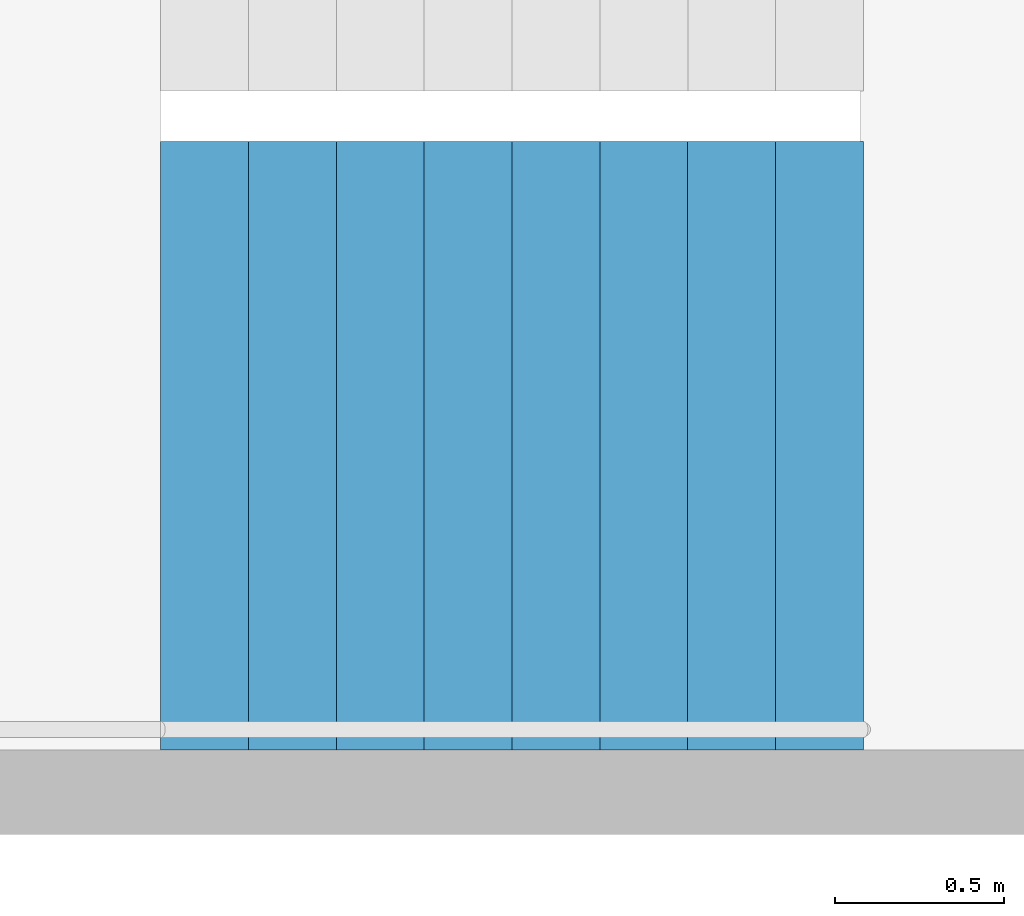
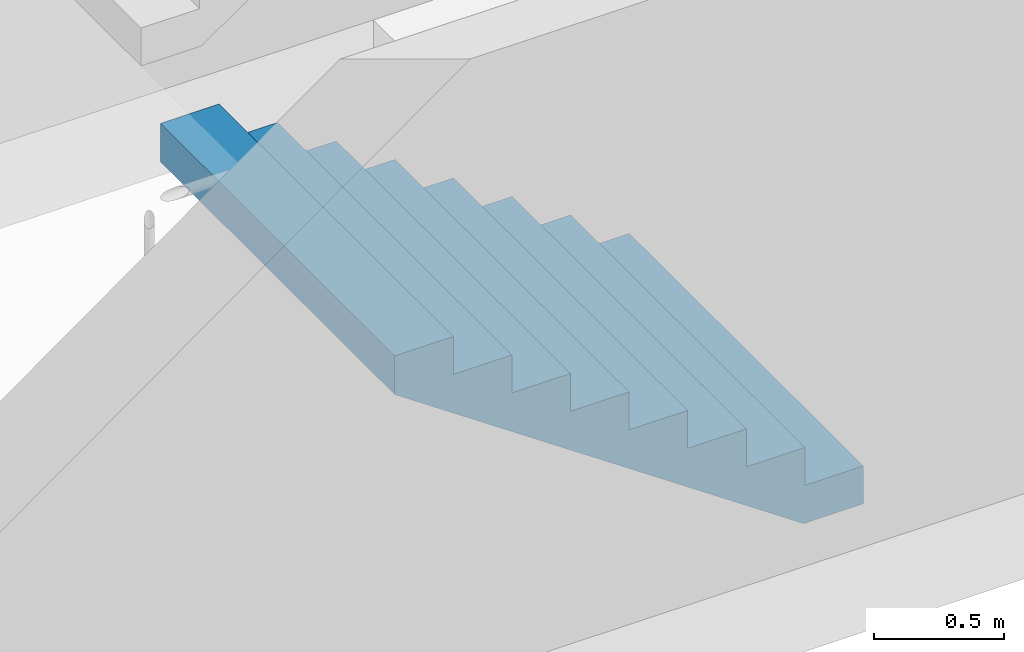
# One storey, part 27 of 29: 1 stair flight, 1 element without a shape of its own.
"""IFC4 building model written with IfcOpenShell, lengths in metres."""

from ifc_helpers import new_model, si_unit, direction, frame, origin, place, context, subcontext, project, spatial, triangles, material, type_object, element, aggregate, save


model = new_model("IFC4")

# Units and contexts
model_context = context("Model", 3, precision=1e-05, world=origin(), true_north=direction((0.0, 1.0)))
body_context = subcontext(model_context, "Body", "Model", "MODEL_VIEW")
ifc_project = project(units=[si_unit("LENGTHUNIT", "METRE"), si_unit("AREAUNIT", "SQUARE_METRE"), si_unit("VOLUMEUNIT", "CUBIC_METRE"), si_unit("PLANEANGLEUNIT", "RADIAN"), si_unit("MASSUNIT", "GRAM", prefix="KILO")], contexts=[model_context])

# Site, building, storey
site_placement = place(None, origin())
site = spatial("IfcSite", under=ifc_project, at=site_placement, CompositionType="ELEMENT")
building_placement = place(site_placement, origin())
building = spatial("IfcBuilding", under=site, at=building_placement, Name="Hakoniwa Tower and Hamabe Station Hall", CompositionType="ELEMENT")
storey_placement = place(building_placement, frame((0.0, 0.0, 61.39990234375)))
storey = spatial("IfcBuildingStorey", under=building, at=storey_placement, Name="L17", CompositionType="ELEMENT", Elevation=61.39990234375)

# Stair, stair flight
ifc_material_1 = material(Name="Concrete C40", Category="concrete")
stair_type = type_object("IfcStairType", Name="ESCAPE STAIR 1800", PredefinedType="HALF_TURN_STAIR", material=ifc_material_1)
stair_placement = place(storey_placement, origin())
stair = element("IfcStair", 1, at=stair_placement, inside=storey, type_object=stair_type, Name="Escape stair ST-3 L17", PredefinedType="HALF_TURN_STAIR")
ifc_material_2 = material(Name="Concrete C40", Category="concrete")
stair_flight_type = type_object("IfcStairFlightType", Name="STAIR FLIGHT 1800", PredefinedType="STRAIGHT", material=ifc_material_2)
stair_flight_placement = place(storey_placement, frame((24.39990234375, 4.64990234375, 0.0), z_axis=(0.0, 0.0, 1.0), x_axis=(-1.0, 0.0, 0.0)))
stair_flight = element("IfcStairFlight", 2, at=stair_flight_placement, type_object=stair_flight_type, Name="ST-3 flight 1", NumberOfRisers=9, NumberOfTreads=8, PredefinedType="STRAIGHT", RiserHeight=0.177777778, TreadLength=0.26, context=body_context, shape_type="Tessellation", body=[
    triangles([(0.0, 0.89990234375, 0.0), (0.260009765625, 0.89990234375, 0.0), (0.265625, 0.89990234375, 0.0), (0.52001953125, 0.89990234375, 0.174072265625), (0.780029296875, 0.89990234375, 0.351806640625), (1.0400390625, 0.89990234375, 0.529541015625), (1.300048828125, 0.89990234375, 0.707275390625), (1.56005859375, 0.89990234375, 0.885009765625), (1.820068359375, 0.89990234375, 1.062744140625), (2.080078125, 0.89990234375, 1.24072265625), (2.080078125, 0.89990234375, 1.422119140625), (1.820068359375, 0.89990234375, 1.422119140625), (1.820068359375, 0.89990234375, 1.244384765625), (1.56005859375, 0.89990234375, 1.244384765625), (1.56005859375, 0.89990234375, 1.066650390625), (1.300048828125, 0.89990234375, 1.066650390625), (1.300048828125, 0.89990234375, 0.888916015625), (1.0400390625, 0.89990234375, 0.888916015625), (1.0400390625, 0.89990234375, 0.711181640625), (0.780029296875, 0.89990234375, 0.711181640625), (0.780029296875, 0.89990234375, 0.533447265625), (0.52001953125, 0.89990234375, 0.533447265625), (0.52001953125, 0.89990234375, 0.35546875), (0.265625, 0.89990234375, 0.35546875), (0.260009765625, 0.89990234375, 0.35546875), (0.260009765625, 0.89990234375, 0.177734375), (0.0, 0.89990234375, 0.177734375), (0.0, 0.06005859375, 0.0), (0.260009765625, 0.06005859375, 0.0), (0.265625, 0.06005859375, 0.0), (0.52001953125, 0.06005859375, 0.174072265625), (0.780029296875, 0.06005859375, 0.351806640625), (1.0400390625, 0.06005859375, 0.529541015625), (1.300048828125, 0.06005859375, 0.707275390625), (1.56005859375, 0.06005859375, 0.885009765625), (1.820068359375, 0.06005859375, 1.062744140625), (2.080078125, 0.06005859375, 1.24072265625), (2.080078125, 0.06005859375, 1.422119140625), (1.820068359375, 0.06005859375, 1.422119140625), (1.820068359375, 0.06005859375, 1.244384765625), (1.56005859375, 0.06005859375, 1.244384765625), (1.56005859375, 0.06005859375, 1.066650390625), (1.300048828125, 0.06005859375, 1.066650390625), (1.300048828125, 0.06005859375, 0.888916015625), (1.0400390625, 0.06005859375, 0.888916015625), (1.0400390625, 0.06005859375, 0.711181640625), (0.780029296875, 0.06005859375, 0.711181640625), (0.780029296875, 0.06005859375, 0.533447265625), (0.52001953125, 0.06005859375, 0.533447265625), (0.52001953125, 0.06005859375, 0.35546875), (0.265625, 0.06005859375, 0.35546875), (0.260009765625, 0.06005859375, 0.35546875), (0.260009765625, 0.06005859375, 0.177734375), (0.0, 0.06005859375, 0.177734375), (0.0, 0.04296875, 0.0), (0.260009765625, 0.04296875, 0.0), (0.265625, 0.04296875, 0.0), (0.52001953125, 0.04296875, 0.174072265625), (0.780029296875, 0.04296875, 0.351806640625), (1.0400390625, 0.04296875, 0.529541015625), (1.300048828125, 0.04296875, 0.707275390625), (1.56005859375, 0.04296875, 0.885009765625), (1.820068359375, 0.04296875, 1.062744140625), (2.080078125, 0.04296875, 1.24072265625), (2.080078125, 0.04296875, 1.422119140625), (1.820068359375, 0.04296875, 1.422119140625), (1.820068359375, 0.04296875, 1.244384765625), (1.56005859375, 0.04296875, 1.244384765625), (1.56005859375, 0.04296875, 1.066650390625), (1.300048828125, 0.04296875, 1.066650390625), (1.300048828125, 0.04296875, 0.888916015625), (1.0400390625, 0.04296875, 0.888916015625), (1.0400390625, 0.04296875, 0.711181640625), (0.780029296875, 0.04296875, 0.711181640625), (0.780029296875, 0.04296875, 0.533447265625), (0.52001953125, 0.04296875, 0.533447265625), (0.52001953125, 0.04296875, 0.35546875), (0.265625, 0.04296875, 0.35546875), (0.260009765625, 0.04296875, 0.35546875), (0.260009765625, 0.04296875, 0.177734375), (0.0, 0.04296875, 0.177734375), (0.0, 0.025634765625, 0.0), (0.260009765625, 0.025634765625, 0.0), (0.265625, 0.025634765625, 0.0), (0.52001953125, 0.025634765625, 0.174072265625), (0.780029296875, 0.025634765625, 0.351806640625), (1.0400390625, 0.025634765625, 0.529541015625), (1.300048828125, 0.025634765625, 0.707275390625), (1.56005859375, 0.025634765625, 0.885009765625), (1.820068359375, 0.025634765625, 1.062744140625), (2.080078125, 0.025634765625, 1.24072265625), (2.080078125, 0.025634765625, 1.422119140625), (1.820068359375, 0.025634765625, 1.422119140625), (1.820068359375, 0.025634765625, 1.244384765625), (1.56005859375, 0.025634765625, 1.244384765625), (1.56005859375, 0.025634765625, 1.066650390625), (1.300048828125, 0.025634765625, 1.066650390625), (1.300048828125, 0.025634765625, 0.888916015625), (1.0400390625, 0.025634765625, 0.888916015625), (1.0400390625, 0.025634765625, 0.711181640625), (0.780029296875, 0.025634765625, 0.711181640625), (0.780029296875, 0.025634765625, 0.533447265625), (0.52001953125, 0.025634765625, 0.533447265625), (0.52001953125, 0.025634765625, 0.35546875), (0.265625, 0.025634765625, 0.35546875), (0.260009765625, 0.025634765625, 0.35546875), (0.260009765625, 0.025634765625, 0.177734375), (0.0, 0.025634765625, 0.177734375), (0.0, 0.008544921875, 0.0), (0.260009765625, 0.008544921875, 0.0), (0.265625, 0.008544921875, 0.0), (0.52001953125, 0.008544921875, 0.174072265625), (0.780029296875, 0.008544921875, 0.351806640625), (1.0400390625, 0.008544921875, 0.529541015625), (1.300048828125, 0.008544921875, 0.707275390625), (1.56005859375, 0.008544921875, 0.885009765625), (1.820068359375, 0.008544921875, 1.062744140625), (2.080078125, 0.008544921875, 1.24072265625), (2.080078125, 0.008544921875, 1.422119140625), (1.820068359375, 0.008544921875, 1.422119140625), (1.820068359375, 0.008544921875, 1.244384765625), (1.56005859375, 0.008544921875, 1.244384765625), (1.56005859375, 0.008544921875, 1.066650390625), (1.300048828125, 0.008544921875, 1.066650390625), (1.300048828125, 0.008544921875, 0.888916015625), (1.0400390625, 0.008544921875, 0.888916015625), (1.0400390625, 0.008544921875, 0.711181640625), (0.780029296875, 0.008544921875, 0.711181640625), (0.780029296875, 0.008544921875, 0.533447265625), (0.52001953125, 0.008544921875, 0.533447265625), (0.52001953125, 0.008544921875, 0.35546875), (0.265625, 0.008544921875, 0.35546875), (0.260009765625, 0.008544921875, 0.35546875), (0.260009765625, 0.008544921875, 0.177734375), (0.0, 0.008544921875, 0.177734375), (0.0, -0.008544921875, 0.0), (0.260009765625, -0.008544921875, 0.0), (0.265625, -0.008544921875, 0.0), (0.52001953125, -0.008544921875, 0.174072265625), (0.780029296875, -0.008544921875, 0.351806640625), (1.0400390625, -0.008544921875, 0.529541015625), (1.300048828125, -0.008544921875, 0.707275390625), (1.56005859375, -0.008544921875, 0.885009765625), (1.820068359375, -0.008544921875, 1.062744140625), (2.080078125, -0.008544921875, 1.24072265625), (2.080078125, -0.008544921875, 1.422119140625), (1.820068359375, -0.008544921875, 1.422119140625), (1.820068359375, -0.008544921875, 1.244384765625), (1.56005859375, -0.008544921875, 1.244384765625), (1.56005859375, -0.008544921875, 1.066650390625), (1.300048828125, -0.008544921875, 1.066650390625), (1.300048828125, -0.008544921875, 0.888916015625), (1.0400390625, -0.008544921875, 0.888916015625), (1.0400390625, -0.008544921875, 0.711181640625), (0.780029296875, -0.008544921875, 0.711181640625), (0.780029296875, -0.008544921875, 0.533447265625), (0.52001953125, -0.008544921875, 0.533447265625), (0.52001953125, -0.008544921875, 0.35546875), (0.265625, -0.008544921875, 0.35546875), (0.260009765625, -0.008544921875, 0.35546875), (0.260009765625, -0.008544921875, 0.177734375), (0.0, -0.008544921875, 0.177734375), (0.0, -0.025634765625, 0.0), (0.260009765625, -0.025634765625, 0.0), (0.265625, -0.025634765625, 0.0), (0.52001953125, -0.025634765625, 0.174072265625), (0.780029296875, -0.025634765625, 0.351806640625), (1.0400390625, -0.025634765625, 0.529541015625), (1.300048828125, -0.025634765625, 0.707275390625), (1.56005859375, -0.025634765625, 0.885009765625), (1.820068359375, -0.025634765625, 1.062744140625), (2.080078125, -0.025634765625, 1.24072265625), (2.080078125, -0.025634765625, 1.422119140625), (1.820068359375, -0.025634765625, 1.422119140625), (1.820068359375, -0.025634765625, 1.244384765625), (1.56005859375, -0.025634765625, 1.244384765625), (1.56005859375, -0.025634765625, 1.066650390625), (1.300048828125, -0.025634765625, 1.066650390625), (1.300048828125, -0.025634765625, 0.888916015625), (1.0400390625, -0.025634765625, 0.888916015625), (1.0400390625, -0.025634765625, 0.711181640625), (0.780029296875, -0.025634765625, 0.711181640625), (0.780029296875, -0.025634765625, 0.533447265625), (0.52001953125, -0.025634765625, 0.533447265625), (0.52001953125, -0.025634765625, 0.35546875), (0.265625, -0.025634765625, 0.35546875), (0.260009765625, -0.025634765625, 0.35546875), (0.260009765625, -0.025634765625, 0.177734375), (0.0, -0.025634765625, 0.177734375), (0.0, -0.04296875, 0.0), (0.260009765625, -0.04296875, 0.0), (0.265625, -0.04296875, 0.0), (0.52001953125, -0.04296875, 0.174072265625), (0.780029296875, -0.04296875, 0.351806640625), (1.0400390625, -0.04296875, 0.529541015625), (1.300048828125, -0.04296875, 0.707275390625), (1.56005859375, -0.04296875, 0.885009765625), (1.820068359375, -0.04296875, 1.062744140625), (2.080078125, -0.04296875, 1.24072265625), (2.080078125, -0.04296875, 1.422119140625), (1.820068359375, -0.04296875, 1.422119140625), (1.820068359375, -0.04296875, 1.244384765625), (1.56005859375, -0.04296875, 1.244384765625), (1.56005859375, -0.04296875, 1.066650390625), (1.300048828125, -0.04296875, 1.066650390625), (1.300048828125, -0.04296875, 0.888916015625), (1.0400390625, -0.04296875, 0.888916015625), (1.0400390625, -0.04296875, 0.711181640625), (0.780029296875, -0.04296875, 0.711181640625), (0.780029296875, -0.04296875, 0.533447265625), (0.52001953125, -0.04296875, 0.533447265625), (0.52001953125, -0.04296875, 0.35546875), (0.265625, -0.04296875, 0.35546875), (0.260009765625, -0.04296875, 0.35546875), (0.260009765625, -0.04296875, 0.177734375), (0.0, -0.04296875, 0.177734375), (0.0, -0.06005859375, 0.0), (0.260009765625, -0.06005859375, 0.0), (0.265625, -0.06005859375, 0.0), (0.52001953125, -0.06005859375, 0.174072265625), (0.780029296875, -0.06005859375, 0.351806640625), (1.0400390625, -0.06005859375, 0.529541015625), (1.300048828125, -0.06005859375, 0.707275390625), (1.56005859375, -0.06005859375, 0.885009765625), (1.820068359375, -0.06005859375, 1.062744140625), (2.080078125, -0.06005859375, 1.24072265625), (2.080078125, -0.06005859375, 1.422119140625), (1.820068359375, -0.06005859375, 1.422119140625), (1.820068359375, -0.06005859375, 1.244384765625), (1.56005859375, -0.06005859375, 1.244384765625), (1.56005859375, -0.06005859375, 1.066650390625), (1.300048828125, -0.06005859375, 1.066650390625), (1.300048828125, -0.06005859375, 0.888916015625), (1.0400390625, -0.06005859375, 0.888916015625), (1.0400390625, -0.06005859375, 0.711181640625), (0.780029296875, -0.06005859375, 0.711181640625), (0.780029296875, -0.06005859375, 0.533447265625), (0.52001953125, -0.06005859375, 0.533447265625), (0.52001953125, -0.06005859375, 0.35546875), (0.265625, -0.06005859375, 0.35546875), (0.260009765625, -0.06005859375, 0.35546875), (0.260009765625, -0.06005859375, 0.177734375), (0.0, -0.06005859375, 0.177734375), (0.0, -0.89990234375, 0.0), (0.260009765625, -0.89990234375, 0.0), (0.265625, -0.89990234375, 0.0), (0.52001953125, -0.89990234375, 0.174072265625), (0.780029296875, -0.89990234375, 0.351806640625), (1.0400390625, -0.89990234375, 0.529541015625), (1.300048828125, -0.89990234375, 0.707275390625), (1.56005859375, -0.89990234375, 0.885009765625), (1.820068359375, -0.89990234375, 1.062744140625), (2.080078125, -0.89990234375, 1.24072265625), (2.080078125, -0.89990234375, 1.422119140625), (1.820068359375, -0.89990234375, 1.422119140625), (1.820068359375, -0.89990234375, 1.244384765625), (1.56005859375, -0.89990234375, 1.244384765625), (1.56005859375, -0.89990234375, 1.066650390625), (1.300048828125, -0.89990234375, 1.066650390625), (1.300048828125, -0.89990234375, 0.888916015625), (1.0400390625, -0.89990234375, 0.888916015625), (1.0400390625, -0.89990234375, 0.711181640625), (0.780029296875, -0.89990234375, 0.711181640625), (0.780029296875, -0.89990234375, 0.533447265625), (0.52001953125, -0.89990234375, 0.533447265625), (0.52001953125, -0.89990234375, 0.35546875), (0.265625, -0.89990234375, 0.35546875), (0.260009765625, -0.89990234375, 0.35546875), (0.260009765625, -0.89990234375, 0.177734375), (0.0, -0.89990234375, 0.177734375)], [[2, 27, 26], [245, 269, 270], [2, 1, 27], [245, 270, 244], [3, 25, 24], [246, 267, 268], [3, 26, 25], [246, 268, 269], [3, 2, 26], [246, 269, 245], [4, 24, 23], [247, 266, 267], [4, 3, 24], [247, 267, 246], [5, 22, 21], [248, 264, 265], [5, 23, 22], [248, 265, 266], [5, 4, 23], [248, 266, 247], [6, 20, 19], [249, 262, 263], [6, 21, 20], [249, 263, 264], [6, 5, 21], [249, 264, 248], [7, 18, 17], [250, 260, 261], [7, 19, 18], [250, 261, 262], [7, 6, 19], [250, 262, 249], [8, 16, 15], [251, 258, 259], [8, 17, 16], [251, 259, 260], [8, 7, 17], [251, 260, 250], [9, 14, 13], [252, 256, 257], [9, 15, 14], [252, 257, 258], [9, 8, 15], [252, 258, 251], [10, 12, 11], [253, 254, 255], [10, 13, 12], [253, 255, 256], [10, 9, 13], [253, 256, 252], [1, 2, 29], [1, 29, 28], [28, 29, 56], [28, 56, 55], [55, 56, 83], [55, 83, 82], [82, 83, 110], [82, 110, 109], [109, 110, 137], [109, 137, 136], [136, 137, 164], [136, 164, 163], [163, 164, 191], [163, 191, 190], [190, 191, 218], [190, 218, 217], [217, 218, 245], [217, 245, 244], [2, 3, 30], [2, 30, 29], [29, 30, 57], [29, 57, 56], [56, 57, 84], [56, 84, 83], [83, 84, 111], [83, 111, 110], [110, 111, 138], [110, 138, 137], [137, 138, 165], [137, 165, 164], [164, 165, 192], [164, 192, 191], [191, 192, 219], [191, 219, 218], [218, 219, 246], [218, 246, 245], [3, 4, 31], [3, 31, 30], [30, 31, 58], [30, 58, 57], [57, 58, 85], [57, 85, 84], [84, 85, 112], [84, 112, 111], [111, 112, 139], [111, 139, 138], [138, 139, 166], [138, 166, 165], [165, 166, 193], [165, 193, 192], [192, 193, 220], [192, 220, 219], [219, 220, 247], [219, 247, 246], [4, 5, 32], [4, 32, 31], [31, 32, 59], [31, 59, 58], [58, 59, 86], [58, 86, 85], [85, 86, 113], [85, 113, 112], [112, 113, 140], [112, 140, 139], [139, 140, 167], [139, 167, 166], [166, 167, 194], [166, 194, 193], [193, 194, 221], [193, 221, 220], [220, 221, 248], [220, 248, 247], [5, 6, 33], [5, 33, 32], [32, 33, 60], [32, 60, 59], [59, 60, 87], [59, 87, 86], [86, 87, 114], [86, 114, 113], [113, 114, 141], [113, 141, 140], [140, 141, 168], [140, 168, 167], [167, 168, 195], [167, 195, 194], [194, 195, 222], [194, 222, 221], [221, 222, 249], [221, 249, 248], [6, 7, 34], [6, 34, 33], [33, 34, 61], [33, 61, 60], [60, 61, 88], [60, 88, 87], [87, 88, 115], [87, 115, 114], [114, 115, 142], [114, 142, 141], [141, 142, 169], [141, 169, 168], [168, 169, 196], [168, 196, 195], [195, 196, 223], [195, 223, 222], [222, 223, 250], [222, 250, 249], [7, 8, 35], [7, 35, 34], [34, 35, 62], [34, 62, 61], [61, 62, 89], [61, 89, 88], [88, 89, 116], [88, 116, 115], [115, 116, 143], [115, 143, 142], [142, 143, 170], [142, 170, 169], [169, 170, 197], [169, 197, 196], [196, 197, 224], [196, 224, 223], [223, 224, 251], [223, 251, 250], [8, 9, 36], [8, 36, 35], [35, 36, 63], [35, 63, 62], [62, 63, 90], [62, 90, 89], [89, 90, 117], [89, 117, 116], [116, 117, 144], [116, 144, 143], [143, 144, 171], [143, 171, 170], [170, 171, 198], [170, 198, 197], [197, 198, 225], [197, 225, 224], [224, 225, 252], [224, 252, 251], [9, 10, 37], [9, 37, 36], [36, 37, 64], [36, 64, 63], [63, 64, 91], [63, 91, 90], [90, 91, 118], [90, 118, 117], [117, 118, 145], [117, 145, 144], [144, 145, 172], [144, 172, 171], [171, 172, 199], [171, 199, 198], [198, 199, 226], [198, 226, 225], [225, 226, 253], [225, 253, 252], [10, 11, 38], [10, 38, 37], [37, 38, 65], [37, 65, 64], [64, 65, 92], [64, 92, 91], [91, 92, 119], [91, 119, 118], [118, 119, 146], [118, 146, 145], [145, 146, 173], [145, 173, 172], [172, 173, 200], [172, 200, 199], [199, 200, 227], [199, 227, 226], [226, 227, 254], [226, 254, 253], [11, 12, 39], [11, 39, 38], [38, 39, 66], [38, 66, 65], [65, 66, 93], [65, 93, 92], [92, 93, 120], [92, 120, 119], [119, 120, 147], [119, 147, 146], [146, 147, 174], [146, 174, 173], [173, 174, 201], [173, 201, 200], [200, 201, 228], [200, 228, 227], [227, 228, 255], [227, 255, 254], [12, 13, 40], [12, 40, 39], [39, 40, 67], [39, 67, 66], [66, 67, 94], [66, 94, 93], [93, 94, 121], [93, 121, 120], [120, 121, 148], [120, 148, 147], [147, 148, 175], [147, 175, 174], [174, 175, 202], [174, 202, 201], [201, 202, 229], [201, 229, 228], [228, 229, 256], [228, 256, 255], [13, 14, 41], [13, 41, 40], [40, 41, 68], [40, 68, 67], [67, 68, 95], [67, 95, 94], [94, 95, 122], [94, 122, 121], [121, 122, 149], [121, 149, 148], [148, 149, 176], [148, 176, 175], [175, 176, 203], [175, 203, 202], [202, 203, 230], [202, 230, 229], [229, 230, 257], [229, 257, 256], [14, 15, 42], [14, 42, 41], [41, 42, 69], [41, 69, 68], [68, 69, 96], [68, 96, 95], [95, 96, 123], [95, 123, 122], [122, 123, 150], [122, 150, 149], [149, 150, 177], [149, 177, 176], [176, 177, 204], [176, 204, 203], [203, 204, 231], [203, 231, 230], [230, 231, 258], [230, 258, 257], [15, 16, 43], [15, 43, 42], [42, 43, 70], [42, 70, 69], [69, 70, 97], [69, 97, 96], [96, 97, 124], [96, 124, 123], [123, 124, 151], [123, 151, 150], [150, 151, 178], [150, 178, 177], [177, 178, 205], [177, 205, 204], [204, 205, 232], [204, 232, 231], [231, 232, 259], [231, 259, 258], [16, 17, 44], [16, 44, 43], [43, 44, 71], [43, 71, 70], [70, 71, 98], [70, 98, 97], [97, 98, 125], [97, 125, 124], [124, 125, 152], [124, 152, 151], [151, 152, 179], [151, 179, 178], [178, 179, 206], [178, 206, 205], [205, 206, 233], [205, 233, 232], [232, 233, 260], [232, 260, 259], [17, 18, 45], [17, 45, 44], [44, 45, 72], [44, 72, 71], [71, 72, 99], [71, 99, 98], [98, 99, 126], [98, 126, 125], [125, 126, 153], [125, 153, 152], [152, 153, 180], [152, 180, 179], [179, 180, 207], [179, 207, 206], [206, 207, 234], [206, 234, 233], [233, 234, 261], [233, 261, 260], [18, 19, 46], [18, 46, 45], [45, 46, 73], [45, 73, 72], [72, 73, 100], [72, 100, 99], [99, 100, 127], [99, 127, 126], [126, 127, 154], [126, 154, 153], [153, 154, 181], [153, 181, 180], [180, 181, 208], [180, 208, 207], [207, 208, 235], [207, 235, 234], [234, 235, 262], [234, 262, 261], [19, 20, 47], [19, 47, 46], [46, 47, 74], [46, 74, 73], [73, 74, 101], [73, 101, 100], [100, 101, 128], [100, 128, 127], [127, 128, 155], [127, 155, 154], [154, 155, 182], [154, 182, 181], [181, 182, 209], [181, 209, 208], [208, 209, 236], [208, 236, 235], [235, 236, 263], [235, 263, 262], [20, 21, 48], [20, 48, 47], [47, 48, 75], [47, 75, 74], [74, 75, 102], [74, 102, 101], [101, 102, 129], [101, 129, 128], [128, 129, 156], [128, 156, 155], [155, 156, 183], [155, 183, 182], [182, 183, 210], [182, 210, 209], [209, 210, 237], [209, 237, 236], [236, 237, 264], [236, 264, 263], [21, 22, 49], [21, 49, 48], [48, 49, 76], [48, 76, 75], [75, 76, 103], [75, 103, 102], [102, 103, 130], [102, 130, 129], [129, 130, 157], [129, 157, 156], [156, 157, 184], [156, 184, 183], [183, 184, 211], [183, 211, 210], [210, 211, 238], [210, 238, 237], [237, 238, 265], [237, 265, 264], [22, 23, 50], [22, 50, 49], [49, 50, 77], [49, 77, 76], [76, 77, 104], [76, 104, 103], [103, 104, 131], [103, 131, 130], [130, 131, 158], [130, 158, 157], [157, 158, 185], [157, 185, 184], [184, 185, 212], [184, 212, 211], [211, 212, 239], [211, 239, 238], [238, 239, 266], [238, 266, 265], [23, 24, 51], [23, 51, 50], [50, 51, 78], [50, 78, 77], [77, 78, 105], [77, 105, 104], [104, 105, 132], [104, 132, 131], [131, 132, 159], [131, 159, 158], [158, 159, 186], [158, 186, 185], [185, 186, 213], [185, 213, 212], [212, 213, 240], [212, 240, 239], [239, 240, 267], [239, 267, 266], [24, 25, 52], [24, 52, 51], [51, 52, 79], [51, 79, 78], [78, 79, 106], [78, 106, 105], [105, 106, 133], [105, 133, 132], [132, 133, 160], [132, 160, 159], [159, 160, 187], [159, 187, 186], [186, 187, 214], [186, 214, 213], [213, 214, 241], [213, 241, 240], [240, 241, 268], [240, 268, 267], [25, 26, 53], [25, 53, 52], [52, 53, 80], [52, 80, 79], [79, 80, 107], [79, 107, 106], [106, 107, 134], [106, 134, 133], [133, 134, 161], [133, 161, 160], [160, 161, 188], [160, 188, 187], [187, 188, 215], [187, 215, 214], [214, 215, 242], [214, 242, 241], [241, 242, 269], [241, 269, 268], [26, 27, 54], [26, 54, 53], [53, 54, 81], [53, 81, 80], [80, 81, 108], [80, 108, 107], [107, 108, 135], [107, 135, 134], [134, 135, 162], [134, 162, 161], [161, 162, 189], [161, 189, 188], [188, 189, 216], [188, 216, 215], [215, 216, 243], [215, 243, 242], [242, 243, 270], [242, 270, 269], [27, 1, 28], [27, 28, 54], [54, 28, 55], [54, 55, 81], [81, 55, 82], [81, 82, 108], [108, 82, 109], [108, 109, 135], [135, 109, 136], [135, 136, 162], [162, 136, 163], [162, 163, 189], [189, 163, 190], [189, 190, 216], [216, 190, 217], [216, 217, 243], [243, 217, 244], [243, 244, 270]], closed=True),
])
aggregate(stair, [stair_flight])

save(model, "model.ifc")
